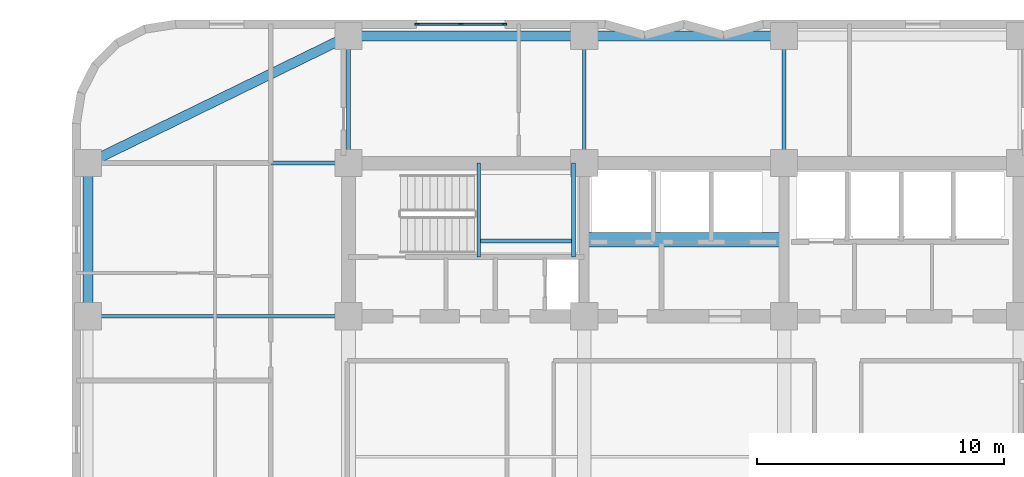
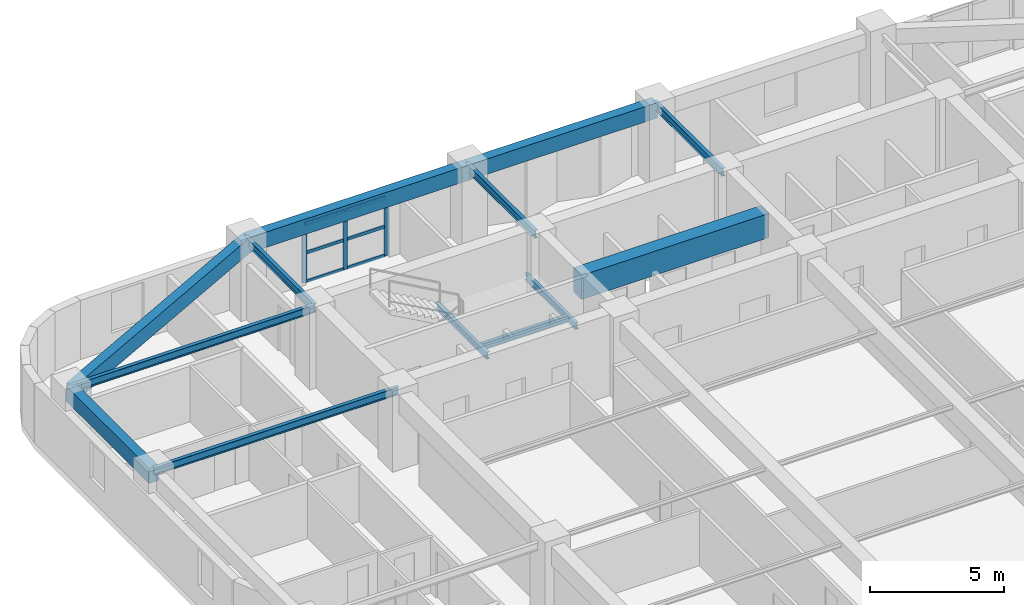
# One storey, part 5 of 15: 13 beams, 9 members, 1 element without a shape of its own.
"""IFC4 building model written with IfcOpenShell, lengths in metres."""

from ifc_helpers import new_model, si_unit, direction, frame, origin, origin_2d, place, context, subcontext, project, spatial, rectangle, i_section, extrude, material, material_profile, profile_set, type_object, element, aggregate, save


model = new_model("IFC4")

# Units and contexts
model_context = context("Model", 3, precision=1e-05, world=origin(), true_north=direction((0.0, 1.0)))
body_context = subcontext(model_context, "Body", "Model", "MODEL_VIEW")
ifc_project = project(units=[si_unit("LENGTHUNIT", "METRE"), si_unit("AREAUNIT", "SQUARE_METRE"), si_unit("VOLUMEUNIT", "CUBIC_METRE"), si_unit("PLANEANGLEUNIT", "RADIAN"), si_unit("MASSUNIT", "GRAM", prefix="KILO")], contexts=[model_context])

# Site, building, storey
site_placement = place(None, origin())
site = spatial("IfcSite", under=ifc_project, at=site_placement, CompositionType="ELEMENT")
building_placement = place(site_placement, origin())
building = spatial("IfcBuilding", under=site, at=building_placement, Name="Svetorya Sky Lyceum", CompositionType="ELEMENT")
storey_placement = place(building_placement, frame((0.0, 0.0, 99.39990234375)))
storey = spatial("IfcBuildingStorey", under=building, at=storey_placement, Name="L24", CompositionType="ELEMENT", Elevation=99.39990234375)

# Beams
ifc_material_1 = material(Name="Concrete C60/75", Category="concrete")
ifc_material_profile_1 = material_profile(ifc_material_1, rectangle(XDim=0.60009765625, YDim=1.10009765625, at=origin_2d()), Name="RC COUPLING 600x1100")
ifc_profile_set_1 = profile_set([ifc_material_profile_1], Name="Concrete C60/75")
beam_type_1 = type_object("IfcBeamType", Name="BM-CPL-1100", PredefinedType="LINTEL", material=ifc_profile_set_1)
beam_1_placement = place(storey_placement, frame((35.14990234375, 42.699951171875, 2.8701171875), z_axis=(1.0, 0.0, 0.0), x_axis=(0.0, 1.0, 0.0)))
element("IfcBeam", 1, at=beam_1_placement, inside=storey, type_object=beam_type_1, Name="L24 NC Core Coupling Beam", PredefinedType="LINTEL", context=body_context, shape_type="SweptSolid", body=[
    extrude(rectangle(XDim=0.60009765625, YDim=1.10009765625, at=origin_2d()), origin(), (0.0, 0.0, 1.0), 8.10009765625),
])
ifc_material_2 = material(Name="Concrete C50/60", Category="concrete")
ifc_material_profile_2 = material_profile(ifc_material_2, rectangle(XDim=0.39990234375, YDim=0.699951171875, at=origin_2d()), Name="RC SPANDREL 400x700")
ifc_profile_set_2 = profile_set([ifc_material_profile_2], Name="Concrete C50/60")
beam_type_2 = type_object("IfcBeamType", Name="BM-SPN-700", PredefinedType="SPANDREL", material=ifc_profile_set_2)
beam_2_placement = place(storey_placement, frame((25.60009765625, 50.949951171875, 3.070068359375), z_axis=(1.0, 0.0, 0.0), x_axis=(0.0, 1.0, 0.0)))
element("IfcBeam", 2, at=beam_2_placement, inside=storey, type_object=beam_type_2, Name="L24 North Spandrel 1", PredefinedType="SPANDREL", context=body_context, shape_type="SweptSolid", body=[
    extrude(rectangle(XDim=0.39990234375, YDim=0.699951171875, at=origin_2d()), origin(), (0.0, 0.0, 1.0), 9.5498046875),
])
beam_3_placement = place(storey_placement, frame((35.14990234375, 50.949951171875, 3.070068359375), z_axis=(1.0, 0.0, 0.0), x_axis=(0.0, 1.0, 0.0)))
element("IfcBeam", 3, at=beam_3_placement, inside=storey, type_object=beam_type_2, Name="L24 North Spandrel 2", PredefinedType="SPANDREL", context=body_context, shape_type="SweptSolid", body=[
    extrude(rectangle(XDim=0.39990234375, YDim=0.699951171875, at=origin_2d()), origin(), (0.0, 0.0, 1.0), 8.10009765625),
])
beam_4_placement = place(storey_placement, frame((15.050048828125, 45.800048828125, 3.070068359375), z_axis=(0.898649693653, 0.438666989978, 0.0), x_axis=(-0.438666989978, 0.898649693653, 0.0)))
element("IfcBeam", 4, at=beam_4_placement, inside=storey, type_object=beam_type_2, Name="L24 Corner Spandrel 4", PredefinedType="SPANDREL", context=body_context, shape_type="SweptSolid", body=[
    extrude(rectangle(XDim=0.39990234375, YDim=0.699951171875, at=origin_2d()), origin(), (0.0, 0.0, 1.0), 11.739990234375),
])
beam_5_placement = place(storey_placement, frame((15.050048828125, 39.60009765625, 3.070068359375), z_axis=(0.0, 1.0, 0.0), x_axis=(-1.0, 0.0, 0.0)))
element("IfcBeam", 5, at=beam_5_placement, inside=storey, type_object=beam_type_2, Name="L24 West Spandrel 4", PredefinedType="SPANDREL", context=body_context, shape_type="SweptSolid", body=[
    extrude(rectangle(XDim=0.39990234375, YDim=0.699951171875, at=origin_2d()), origin(), (0.0, 0.0, 1.0), 6.199951171875),
])
ifc_material_3 = material(Name="Steel S355", Category="steel")
ifc_material_profile_3 = material_profile(ifc_material_3, i_section(OverallWidth=0.14990234375, OverallDepth=0.299072265625, WebThickness=0.006591796875, FlangeThickness=0.010498046875, at=origin_2d()), Name="GOST 30B2")
ifc_profile_set_3 = profile_set([ifc_material_profile_3], Name="Steel S355")
beam_type_3 = type_object("IfcBeamType", Name="BM-STL-30B2", PredefinedType="JOIST", material=ifc_profile_set_3)
for number, where, z_axis, x_axis, name in (
    (6, (30.8798828125, 42.0, 1.50048828125), (0.0, 1.0, 0.0), (-1.0, 0.0, 0.0), "L24 Stair ST-N Half-Landing Support Beam 28.1"),
    (7, (34.719970703125, 42.0, 1.50048828125), (0.0, 1.0, 0.0), (-1.0, 0.0, 0.0), "L24 Stair ST-N Half-Landing Support Beam 28.2"),
):
    element("IfcBeam", number, at=place(storey_placement, frame(where, z_axis=z_axis, x_axis=x_axis)), inside=storey, type_object=beam_type_3, Name=name, PredefinedType="JOIST", context=body_context, shape_type="SweptSolid", body=[
        extrude(i_section(OverallWidth=0.14990234375, OverallDepth=0.299072265625, WebThickness=0.006591796875, FlangeThickness=0.010498046875, at=origin_2d()), origin(), (0.0, 0.0, 1.0), 3.800048828125),
    ])
beam_6_placement = place(storey_placement, frame((30.8798828125, 42.64990234375, 1.50048828125), z_axis=(1.0, 0.0, 0.0), x_axis=(0.0, 1.0, 0.0)))
element("IfcBeam", 8, at=beam_6_placement, inside=storey, type_object=beam_type_3, Name="L24 Stair ST-N Half-Landing Cross Tie 28", PredefinedType="JOIST", context=body_context, shape_type="SweptSolid", body=[
    extrude(i_section(OverallWidth=0.14990234375, OverallDepth=0.299072265625, WebThickness=0.006591796875, FlangeThickness=0.010498046875, at=origin_2d()), origin(), (0.0, 0.0, 1.0), 3.840087890625),
])
ifc_material_profile_4 = material_profile(ifc_material_3, i_section(OverallWidth=0.155029296875, OverallDepth=0.34912109375, WebThickness=0.007080078125, FlangeThickness=0.011474609375, at=origin_2d()), Name="GOST 35B2")
ifc_profile_set_4 = profile_set([ifc_material_profile_4], Name="Steel S355")
beam_type_4 = type_object("IfcBeamType", Name="BM-STL-35B2", PredefinedType="JOIST", material=ifc_profile_set_4)
for number, where, z_axis, x_axis, name in (
    (9, (15.050048828125, 39.60009765625, 3.24560546875), (1.0, 0.0, 0.0), (0.0, 1.0, 0.0), "L24 West Wing Floor Joist W4"),
    (10, (15.050048828125, 45.800048828125, 3.24560546875), (1.0, 0.0, 0.0), (0.0, 1.0, 0.0), "L24 West Wing Floor Joist W5"),
):
    element("IfcBeam", number, at=place(storey_placement, frame(where, z_axis=z_axis, x_axis=x_axis)), inside=storey, type_object=beam_type_4, Name=name, PredefinedType="JOIST", context=body_context, shape_type="SweptSolid", body=[
        extrude(i_section(OverallWidth=0.155029296875, OverallDepth=0.34912109375, WebThickness=0.007080078125, FlangeThickness=0.011474609375, at=origin_2d()), origin(), (0.0, 0.0, 1.0), 10.550048828125),
    ])
for number, where, z_axis, x_axis, name in (
    (11, (25.60009765625, 45.800048828125, 3.24560546875), (0.0, 1.0, 0.0), (-1.0, 0.0, 0.0), "L24 North Bay Floor Girder N1"),
    (12, (35.14990234375, 45.800048828125, 3.24560546875), (0.0, 1.0, 0.0), (-1.0, 0.0, 0.0), "L24 North Bay Floor Girder N2"),
    (13, (43.25, 45.800048828125, 3.24560546875), (0.0, 1.0, 0.0), (-1.0, 0.0, 0.0), "L24 North Bay Floor Girder N3"),
):
    element("IfcBeam", number, at=place(storey_placement, frame(where, z_axis=z_axis, x_axis=x_axis)), inside=storey, type_object=beam_type_4, Name=name, PredefinedType="JOIST", context=body_context, shape_type="SweptSolid", body=[
        extrude(i_section(OverallWidth=0.155029296875, OverallDepth=0.34912109375, WebThickness=0.007080078125, FlangeThickness=0.011474609375, at=origin_2d()), origin(), (0.0, 0.0, 1.0), 5.14990234375),
    ])

# Curtain wall, members
ifc_material_4 = material(Name="Thermally broken anodized aluminium and triple low-E glass", Category="aluminium")
curtain_wall_type = type_object("IfcCurtainWallType", Name="CW3-LOG-RES", PredefinedType="NOTDEFINED", material=ifc_material_4)
curtain_wall_placement = place(storey_placement, origin())
curtain_wall = element("IfcCurtainWall", 14, at=curtain_wall_placement, inside=storey, type_object=curtain_wall_type, Name="L24 Recessed Loggia Curtain Wall 34", PredefinedType="NOTDEFINED")
ifc_material_5 = material(Name="Thermally broken anodized aluminium EN AW-6060", Category="aluminium")
ifc_material_profile_5 = material_profile(ifc_material_5, rectangle(XDim=0.06494140625, YDim=0.179931640625, at=origin_2d()), Name="ALU MULLION 65x180")
ifc_profile_set_5 = profile_set([ifc_material_profile_5], Name="Thermally broken anodized aluminium EN AW-6060")
member_type_1 = type_object("IfcMemberType", Name="CWM-MUL-180", PredefinedType="MULLION", material=ifc_profile_set_5)
member_1_placement = place(storey_placement, frame((31.91748046875, 51.429931640625, 0.0), z_axis=(0.0, 0.0, 1.0), x_axis=(0.0, -1.0, 0.0)))
member_1 = element("IfcMember", 15, at=member_1_placement, type_object=member_type_1, Name="CW-3 mullion 1", PredefinedType="MULLION", context=body_context, shape_type="SweptSolid", body=[
    extrude(rectangle(XDim=0.06494140625, YDim=0.179931640625, at=origin_2d()), origin(), (0.0, 0.0, 1.0), 2.7001953125),
])
member_2_placement = place(storey_placement, frame((30.14990234375, 51.429931640625, 0.0), z_axis=(0.0, 0.0, 1.0), x_axis=(0.0, -1.0, 0.0)))
member_2 = element("IfcMember", 16, at=member_2_placement, type_object=member_type_1, Name="CW-3 mullion 2", PredefinedType="MULLION", context=body_context, shape_type="SweptSolid", body=[
    extrude(rectangle(XDim=0.06494140625, YDim=0.179931640625, at=origin_2d()), origin(), (0.0, 0.0, 1.0), 2.7001953125),
])
member_3_placement = place(storey_placement, frame((28.382568359375, 51.429931640625, 0.0), z_axis=(0.0, 0.0, 1.0), x_axis=(0.0, -1.0, 0.0)))
member_3 = element("IfcMember", 17, at=member_3_placement, type_object=member_type_1, Name="CW-3 mullion 3", PredefinedType="MULLION", context=body_context, shape_type="SweptSolid", body=[
    extrude(rectangle(XDim=0.06494140625, YDim=0.179931640625, at=origin_2d()), origin(), (0.0, 0.0, 1.0), 2.7001953125),
])
ifc_material_profile_6 = material_profile(ifc_material_5, rectangle(XDim=0.06494140625, YDim=0.139892578125, at=origin_2d()), Name="ALU TRANSOM 65x140")
ifc_profile_set_6 = profile_set([ifc_material_profile_6], Name="Thermally broken anodized aluminium EN AW-6060")
member_type_2 = type_object("IfcMemberType", Name="CWM-TRN-140", PredefinedType="USERDEFINED", material=ifc_profile_set_6)
member_4_placement = place(storey_placement, frame((31.886474609375, 51.429931640625, 0.03271484375), z_axis=(-1.0, 0.0, 0.0), x_axis=(0.0, -1.0, 0.0)))
member_4 = element("IfcMember", 18, at=member_4_placement, type_object=member_type_2, Name="CW-3 transom 1.1", ObjectType="TRANSOM", PredefinedType="USERDEFINED", context=body_context, shape_type="SweptSolid", body=[
    extrude(rectangle(XDim=0.06494140625, YDim=0.139892578125, at=origin_2d()), origin(), (0.0, 0.0, 1.0), 1.70556640625),
])
member_5_placement = place(storey_placement, frame((31.886474609375, 51.429931640625, 1.35009765625), z_axis=(-1.0, 0.0, 0.0), x_axis=(0.0, -1.0, 0.0)))
member_5 = element("IfcMember", 19, at=member_5_placement, type_object=member_type_2, Name="CW-3 transom 1.2", ObjectType="TRANSOM", PredefinedType="USERDEFINED", context=body_context, shape_type="SweptSolid", body=[
    extrude(rectangle(XDim=0.06494140625, YDim=0.139892578125, at=origin_2d()), origin(), (0.0, 0.0, 1.0), 1.70556640625),
])
member_6_placement = place(storey_placement, frame((31.886474609375, 51.429931640625, 2.66748046875), z_axis=(-1.0, 0.0, 0.0), x_axis=(0.0, -1.0, 0.0)))
member_6 = element("IfcMember", 20, at=member_6_placement, type_object=member_type_2, Name="CW-3 transom 1.3", ObjectType="TRANSOM", PredefinedType="USERDEFINED", context=body_context, shape_type="SweptSolid", body=[
    extrude(rectangle(XDim=0.06494140625, YDim=0.139892578125, at=origin_2d()), origin(), (0.0, 0.0, 1.0), 1.70556640625),
])
member_7_placement = place(storey_placement, frame((30.118896484375, 51.429931640625, 0.03271484375), z_axis=(-1.0, 0.0, 0.0), x_axis=(0.0, -1.0, 0.0)))
member_7 = element("IfcMember", 21, at=member_7_placement, type_object=member_type_2, Name="CW-3 transom 2.1", ObjectType="TRANSOM", PredefinedType="USERDEFINED", context=body_context, shape_type="SweptSolid", body=[
    extrude(rectangle(XDim=0.06494140625, YDim=0.139892578125, at=origin_2d()), origin(), (0.0, 0.0, 1.0), 1.705322265625),
])
member_8_placement = place(storey_placement, frame((30.118896484375, 51.429931640625, 1.35009765625), z_axis=(-1.0, 0.0, 0.0), x_axis=(0.0, -1.0, 0.0)))
member_8 = element("IfcMember", 22, at=member_8_placement, type_object=member_type_2, Name="CW-3 transom 2.2", ObjectType="TRANSOM", PredefinedType="USERDEFINED", context=body_context, shape_type="SweptSolid", body=[
    extrude(rectangle(XDim=0.06494140625, YDim=0.139892578125, at=origin_2d()), origin(), (0.0, 0.0, 1.0), 1.705322265625),
])
member_9_placement = place(storey_placement, frame((30.118896484375, 51.429931640625, 2.66748046875), z_axis=(-1.0, 0.0, 0.0), x_axis=(0.0, -1.0, 0.0)))
member_9 = element("IfcMember", 23, at=member_9_placement, type_object=member_type_2, Name="CW-3 transom 2.3", ObjectType="TRANSOM", PredefinedType="USERDEFINED", context=body_context, shape_type="SweptSolid", body=[
    extrude(rectangle(XDim=0.06494140625, YDim=0.139892578125, at=origin_2d()), origin(), (0.0, 0.0, 1.0), 1.705322265625),
])
aggregate(curtain_wall, [member_1, member_2, member_3, member_4, member_5, member_6, member_7, member_8, member_9])

save(model, "model.ifc")
